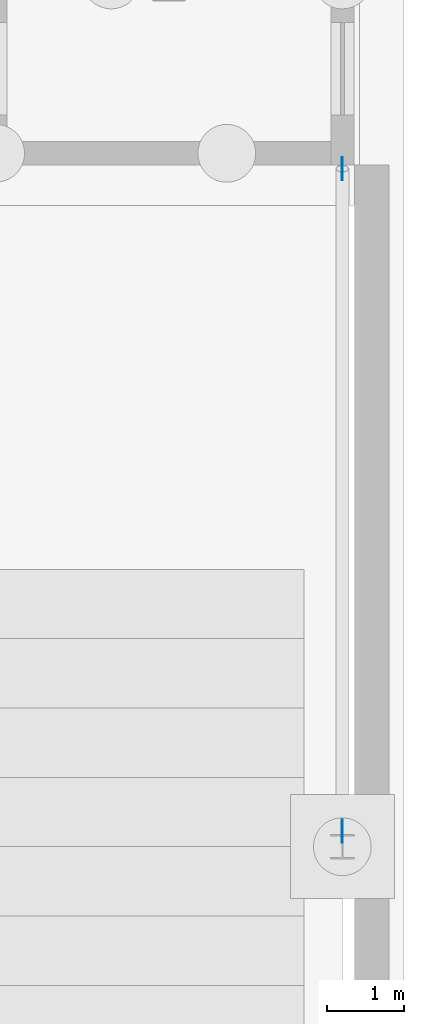
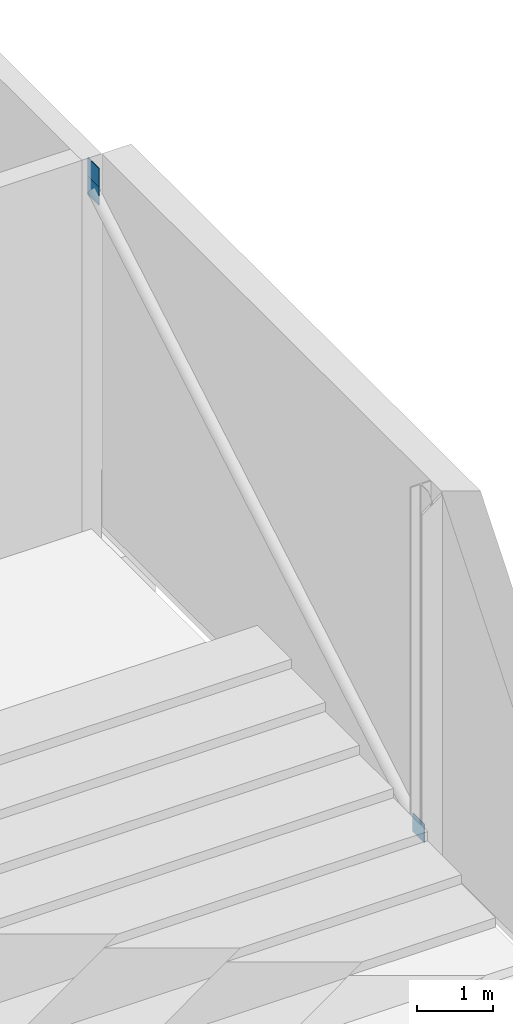
# One storey, part 89 of 106: 3 discrete accessories.
"""IFC4 building model written with IfcOpenShell, lengths in metres."""

from ifc_helpers import new_model, si_unit, direction, frame, origin, origin_2d, place, context, subcontext, project, spatial, rectangle, extrude, material, type_object, element, save


model = new_model("IFC4")

# Units and contexts
model_context = context("Model", 3, precision=1e-05, world=origin(), true_north=direction((0.0, 1.0)))
body_context = subcontext(model_context, "Body", "Model", "MODEL_VIEW")
ifc_project = project(units=[si_unit("LENGTHUNIT", "METRE"), si_unit("AREAUNIT", "SQUARE_METRE"), si_unit("VOLUMEUNIT", "CUBIC_METRE"), si_unit("PLANEANGLEUNIT", "RADIAN"), si_unit("MASSUNIT", "GRAM", prefix="KILO")], contexts=[model_context])

# Site, building, storey
site_placement = place(None, origin())
site = spatial("IfcSite", under=ifc_project, at=site_placement, CompositionType="ELEMENT")
building_placement = place(site_placement, origin())
building = spatial("IfcBuilding", under=site, at=building_placement, Name="Hortulan Conservatory and Botanical Research Centre", CompositionType="ELEMENT")
storey_placement = place(building_placement, origin())
storey = spatial("IfcBuildingStorey", under=building, at=storey_placement, Name="L00", CompositionType="ELEMENT", Elevation=0.0)

# Discrete accessories
ifc_material = material(Name="Steel Grade 300 plate (AS/NZS 3678, 280 MPa minimum yield)", Category="steel")
discrete_accessory_type = type_object("IfcDiscreteAccessoryType", Name="End Plate 300x12", PredefinedType="BRACKET", material=ifc_material)
for number, where, z_axis, x_axis, name in (
    (1, (108.0, 54.199951171875, 0.26806640625), (0.0, 0.0, 1.0), (0.0, -1.0, 0.0), "Brace end plate"),
    (2, (108.0, 62.800048828125, 5.337890625), (0.0, 0.0, 1.0), (0.0, -1.0, 0.0), "Brace end plate"),
    (3, (108.0, 62.800048828125, 5.6357421875), (0.0, 0.0, 1.0), (0.0, -1.0, 0.0), "Brace end plate"),
):
    element("IfcDiscreteAccessory", number, at=place(storey_placement, frame(where, z_axis=z_axis, x_axis=x_axis)), inside=storey, type_object=discrete_accessory_type, Name=name, PredefinedType="BRACKET", context=body_context, shape_type="SweptSolid", body=[
        extrude(rectangle(XDim=0.300048828125, YDim=0.011962890625, at=origin_2d()), origin(), (0.0, 0.0, 1.0), 0.300048828125),
    ])

save(model, "model.ifc")
